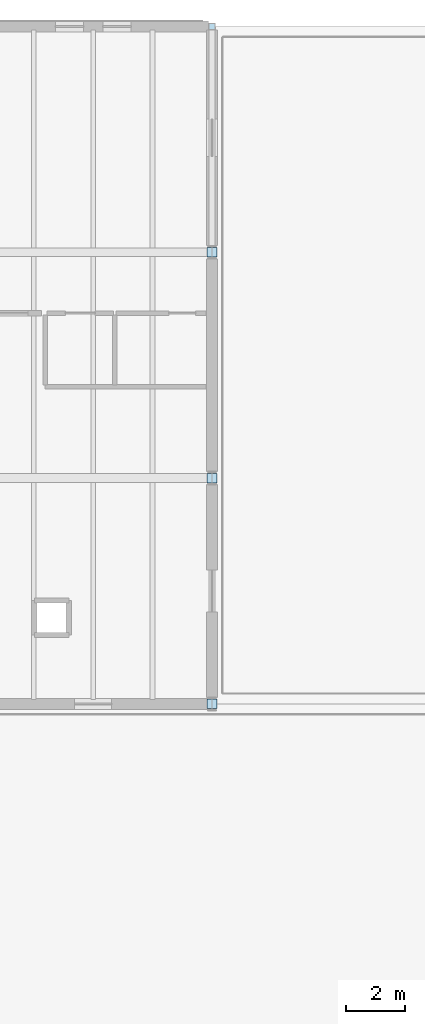
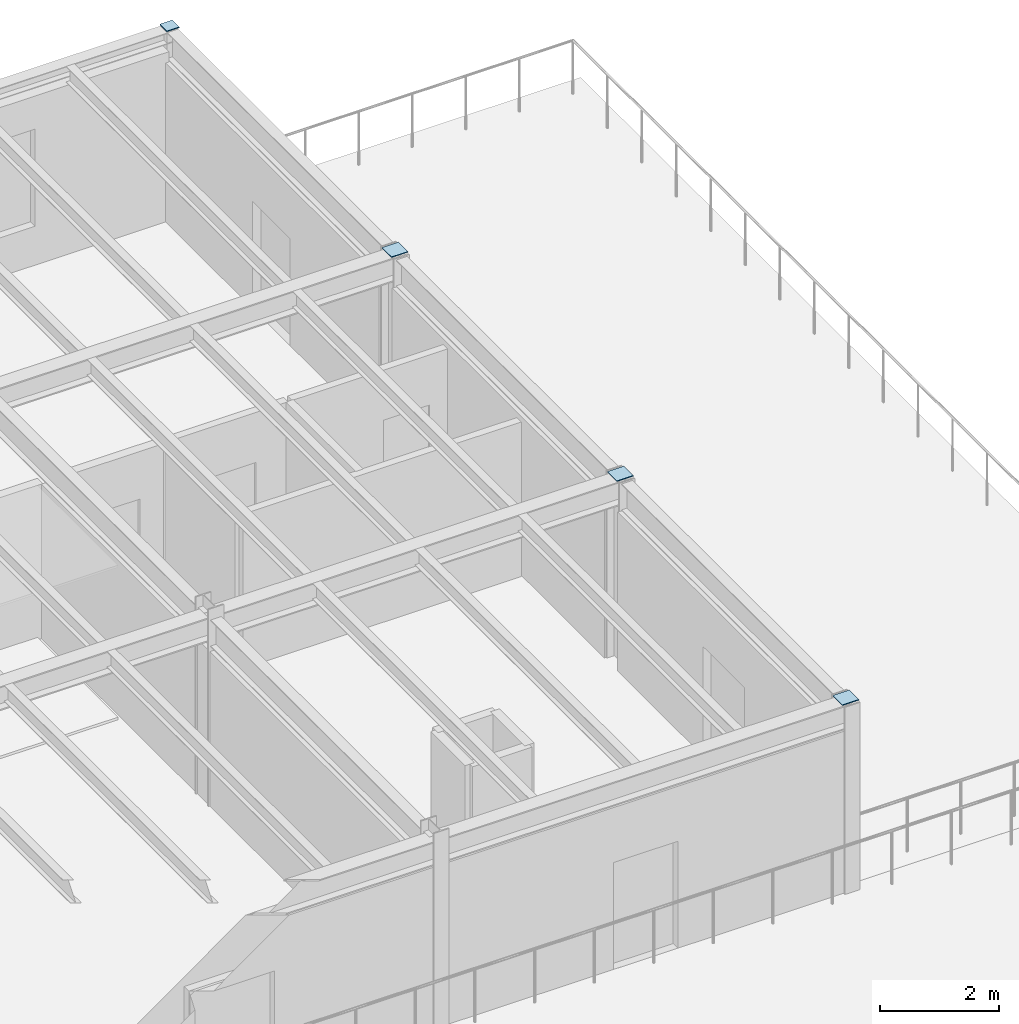
# One storey, part 84 of 114: 4 plates.
"""IFC4 building model written with IfcOpenShell, lengths in metres."""

from ifc_helpers import new_model, si_unit, direction, frame, origin, origin_2d, place, context, subcontext, project, spatial, rectangle, extrude, material, layer, layer_set, type_object, element, save


model = new_model("IFC4")

# Units and contexts
model_context = context("Model", 3, precision=1e-05, world=origin(), true_north=direction((0.0, 1.0)))
body_context = subcontext(model_context, "Body", "Model", "MODEL_VIEW")
ifc_project = project(units=[si_unit("LENGTHUNIT", "METRE"), si_unit("AREAUNIT", "SQUARE_METRE"), si_unit("VOLUMEUNIT", "CUBIC_METRE"), si_unit("PLANEANGLEUNIT", "RADIAN"), si_unit("MASSUNIT", "GRAM", prefix="KILO")], contexts=[model_context])

# Site, building, storey
site_placement = place(None, origin())
site = spatial("IfcSite", under=ifc_project, at=site_placement, CompositionType="ELEMENT")
building_placement = place(site_placement, origin())
building = spatial("IfcBuilding", under=site, at=building_placement, Name="Montecoro Central Library", CompositionType="ELEMENT")
storey_placement = place(building_placement, frame((0.0, 0.0, 13.260009765625)))
storey = spatial("IfcBuildingStorey", under=building, at=storey_placement, Name="L03", CompositionType="ELEMENT", Elevation=13.260009765625)

# Plates
ifc_material = material(Name="Steel S355", Category="steel")
ifc_layer = layer(ifc_material, 0.01611328125)
ifc_layer_set = layer_set([ifc_layer], Name="Steel S355")
plate_type = type_object("IfcPlateType", Name="PLT-CAP-16", PredefinedType="SHEET", material=ifc_layer_set)
for number, where, z_axis, x_axis, name in (
    (1, (165.0, 96.199951171875, 3.849853515625), (0.0, 0.0, 1.0), (1.0, 0.0, 0.0), "V5-L03-CAPPL-21-N"),
    (2, (165.0, 103.800048828125, 3.849853515625), (0.0, 0.0, 1.0), (1.0, 0.0, 0.0), "V5-L03-CAPPL-21-P"),
    (3, (165.0, 111.39990234375, 3.849853515625), (0.0, 0.0, 1.0), (1.0, 0.0, 0.0), "V5-L03-CAPPL-21-Q"),
):
    element("IfcPlate", number, at=place(storey_placement, frame(where, z_axis=z_axis, x_axis=x_axis)), inside=storey, type_object=plate_type, Name=name, PredefinedType="SHEET", context=body_context, shape_type="SweptSolid", body=[
        extrude(rectangle(XDim=0.320068359375, YDim=0.320068359375, at=origin_2d()), origin(), (0.0, 0.0, 1.0), 0.01611328125),
    ])
plate_placement = place(storey_placement, frame((165.0, 119.0, 3.849853515625), z_axis=(0.0, 0.0, 1.0), x_axis=(1.0, 0.0, 0.0)))
element("IfcPlate", 4, at=plate_placement, inside=storey, type_object=plate_type, Name="V5-L03-CAPPL-21-R", PredefinedType="SHEET", context=body_context, shape_type="SweptSolid", body=[
    extrude(rectangle(XDim=0.239990234375, YDim=0.239990234375, at=origin_2d()), origin(), (0.0, 0.0, 1.0), 0.01611328125),
])

save(model, "model.ifc")
